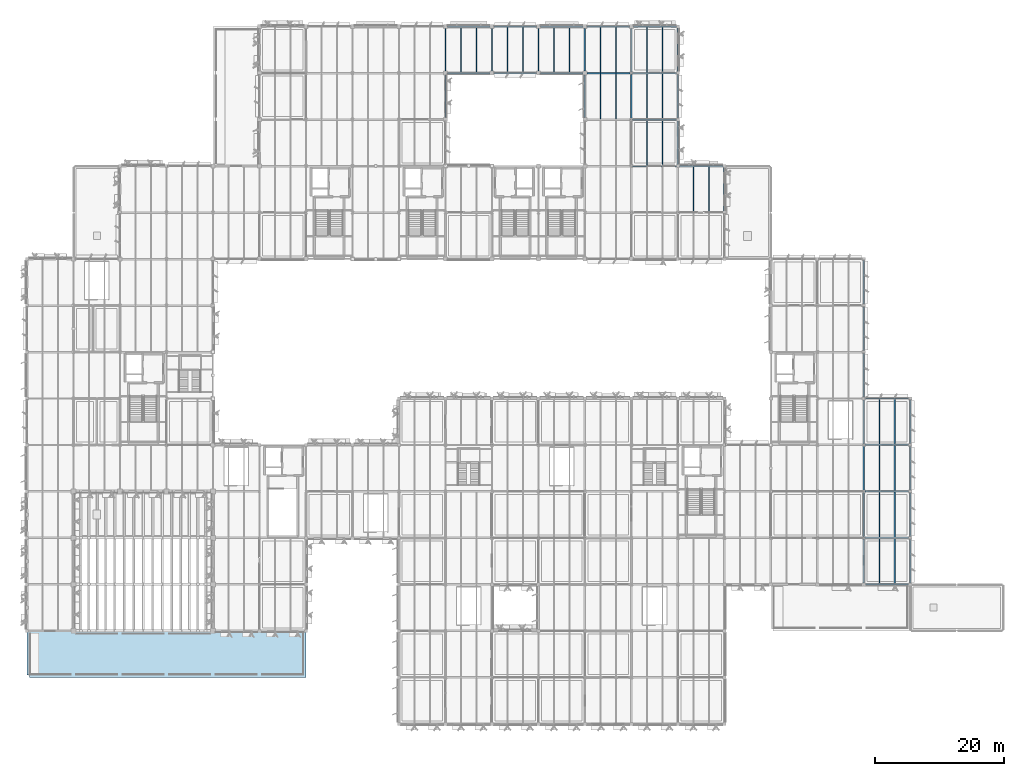
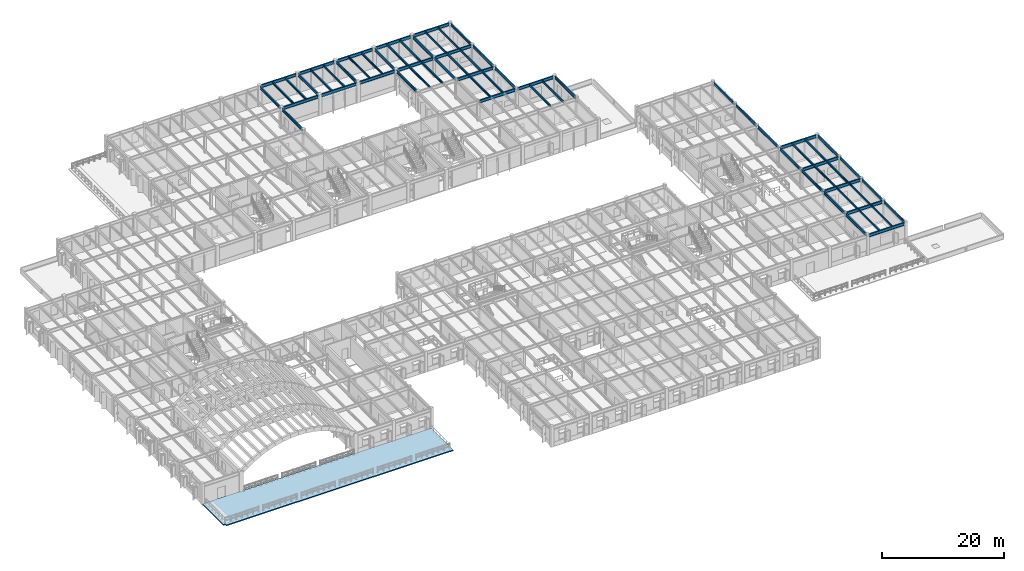
# One storey, part 23 of 85: 67 beams, 1 slab.
"""IFC4 building model written with IfcOpenShell, lengths in metres."""

from ifc_helpers import new_model, si_unit, direction, frame, origin, origin_2d, place, context, subcontext, project, spatial, polyline, i_section, outline, extrude, material, layer, layer_set, material_profile, profile_set, type_object, element, save


model = new_model("IFC4")

# Units and contexts
model_context = context("Model", 3, precision=1e-05, world=origin(), true_north=direction((0.0, 1.0)))
body_context = subcontext(model_context, "Body", "Model", "MODEL_VIEW")
ifc_project = project(units=[si_unit("LENGTHUNIT", "METRE"), si_unit("AREAUNIT", "SQUARE_METRE"), si_unit("VOLUMEUNIT", "CUBIC_METRE"), si_unit("PLANEANGLEUNIT", "RADIAN"), si_unit("MASSUNIT", "GRAM", prefix="KILO")], contexts=[model_context])

# Site, building, storey
site_placement = place(None, origin())
site = spatial("IfcSite", under=ifc_project, at=site_placement, CompositionType="ELEMENT")
building_placement = place(site_placement, origin())
building = spatial("IfcBuilding", under=site, at=building_placement, Name="Sillqori Civic Hall", CompositionType="ELEMENT")
storey_placement = place(building_placement, frame((0.0, 0.0, 9.89990234375)))
storey = spatial("IfcBuildingStorey", under=building, at=storey_placement, Name="L03", CompositionType="ELEMENT", Elevation=9.89990234375)

# Beams
ifc_material_1 = material(Name="Steel ASTM A992", Category="steel")
ifc_material_profile_1 = material_profile(ifc_material_1, i_section(OverallWidth=0.2099609375, OverallDepth=0.532958984375, WebThickness=0.01025390625, FlangeThickness=0.015625, FilletRadius=0.013916015625, at=origin_2d()), Name="W21X62")
ifc_profile_set_1 = profile_set([ifc_material_profile_1], Name="Steel ASTM A992")
beam_type_1 = type_object("IfcBeamType", Name="BM-W21X62", PredefinedType="BEAM", material=ifc_profile_set_1)
for number, where, z_axis, x_axis, name in (
    (1, (72.0, 101.093994140625, 3.753662109375), (0.0, 1.0, 0.0), (-1.0, 0.0, 0.0), "L03 girder Y 10-14"),
    (2, (72.0, 108.2939453125, 3.753662109375), (0.0, 1.0, 0.0), (-1.0, 0.0, 0.0), "L03 girder Y 10-15"),
    (3, (79.199951171875, 108.2939453125, 3.753662109375), (0.0, 1.0, 0.0), (-1.0, 0.0, 0.0), "L03 girder Y 11-15"),
    (4, (86.39990234375, 108.2939453125, 3.753662109375), (0.0, 1.0, 0.0), (-1.0, 0.0, 0.0), "L03 girder Y 12-15"),
    (5, (93.60009765625, 101.093994140625, 3.753662109375), (0.0, 1.0, 0.0), (-1.0, 0.0, 0.0), "L03 girder Y 13-14"),
    (6, (93.60009765625, 108.2939453125, 3.753662109375), (0.0, 1.0, 0.0), (-1.0, 0.0, 0.0), "L03 girder Y 13-15"),
):
    element("IfcBeam", number, at=place(storey_placement, frame(where, z_axis=z_axis, x_axis=x_axis)), inside=storey, type_object=beam_type_1, Name=name, PredefinedType="BEAM", context=body_context, shape_type="SweptSolid", body=[
        extrude(i_section(OverallWidth=0.2099609375, OverallDepth=0.532958984375, WebThickness=0.01025390625, FlangeThickness=0.015625, FilletRadius=0.013916015625, at=origin_2d()), origin(), (0.0, 0.0, 1.0), 6.612060546875),
    ])
beam_1_placement = place(storey_placement, frame((100.800048828125, 100.987060546875, 3.753662109375), z_axis=(0.0, 1.0, 0.0), x_axis=(-1.0, 0.0, 0.0)))
element("IfcBeam", 7, at=beam_1_placement, inside=storey, type_object=beam_type_1, Name="L03 girder Y 14-14", PredefinedType="BEAM", context=body_context, shape_type="SweptSolid", body=[
    extrude(i_section(OverallWidth=0.2099609375, OverallDepth=0.532958984375, WebThickness=0.01025390625, FlangeThickness=0.015625, FilletRadius=0.013916015625, at=origin_2d()), origin(), (0.0, 0.0, 1.0), 6.825927734375),
])
beam_2_placement = place(storey_placement, frame((100.800048828125, 108.18701171875, 3.753662109375), z_axis=(0.0, 1.0, 0.0), x_axis=(-1.0, 0.0, 0.0)))
element("IfcBeam", 8, at=beam_2_placement, inside=storey, type_object=beam_type_1, Name="L03 girder Y 14-15", PredefinedType="BEAM", context=body_context, shape_type="SweptSolid", body=[
    extrude(i_section(OverallWidth=0.2099609375, OverallDepth=0.532958984375, WebThickness=0.01025390625, FlangeThickness=0.015625, FilletRadius=0.013916015625, at=origin_2d()), origin(), (0.0, 0.0, 1.0), 6.718994140625),
])
beam_3_placement = place(storey_placement, frame((108.0, 93.843994140625, 3.753662109375), z_axis=(0.0, 1.0, 0.0), x_axis=(-1.0, 0.0, 0.0)))
element("IfcBeam", 9, at=beam_3_placement, inside=storey, type_object=beam_type_1, Name="L03 girder Y 15-13", PredefinedType="BEAM", context=body_context, shape_type="SweptSolid", body=[
    extrude(i_section(OverallWidth=0.2099609375, OverallDepth=0.532958984375, WebThickness=0.01025390625, FlangeThickness=0.015625, FilletRadius=0.013916015625, at=origin_2d()), origin(), (0.0, 0.0, 1.0), 6.7119140625),
])
for number, where, z_axis, x_axis, name in (
    (10, (108.0, 101.0439453125, 3.753662109375), (0.0, 1.0, 0.0), (-1.0, 0.0, 0.0), "L03 girder Y 15-14"),
    (11, (108.0, 108.243896484375, 3.753662109375), (0.0, 1.0, 0.0), (-1.0, 0.0, 0.0), "L03 girder Y 15-15"),
):
    element("IfcBeam", number, at=place(storey_placement, frame(where, z_axis=z_axis, x_axis=x_axis)), inside=storey, type_object=beam_type_1, Name=name, PredefinedType="BEAM", context=body_context, shape_type="SweptSolid", body=[
        extrude(i_section(OverallWidth=0.2099609375, OverallDepth=0.532958984375, WebThickness=0.01025390625, FlangeThickness=0.015625, FilletRadius=0.013916015625, at=origin_2d()), origin(), (0.0, 0.0, 1.0), 6.712158203125),
    ])
beam_4_placement = place(storey_placement, frame((115.199951171875, 86.64404296875, 3.733642578125), z_axis=(0.0, 1.0, 0.0), x_axis=(-1.0, 0.0, 0.0)))
element("IfcBeam", 12, at=beam_4_placement, inside=storey, type_object=beam_type_1, Name="L03 girder Y 16-12", PredefinedType="BEAM", context=body_context, shape_type="SweptSolid", body=[
    extrude(i_section(OverallWidth=0.2099609375, OverallDepth=0.532958984375, WebThickness=0.01025390625, FlangeThickness=0.015625, FilletRadius=0.013916015625, at=origin_2d()), origin(), (0.0, 0.0, 1.0), 6.7119140625),
])
beam_5_placement = place(storey_placement, frame((136.800048828125, 29.0439453125, 3.733642578125), z_axis=(0.0, 1.0, 0.0), x_axis=(-1.0, 0.0, 0.0)))
element("IfcBeam", 13, at=beam_5_placement, inside=storey, type_object=beam_type_1, Name="L03 girder Y 19-4", PredefinedType="BEAM", context=body_context, shape_type="SweptSolid", body=[
    extrude(i_section(OverallWidth=0.2099609375, OverallDepth=0.532958984375, WebThickness=0.01025390625, FlangeThickness=0.015625, FilletRadius=0.013916015625, at=origin_2d()), origin(), (0.0, 0.0, 1.0), 6.781494140625),
])
beam_6_placement = place(storey_placement, frame((136.800048828125, 36.174560546875, 3.753662109375), z_axis=(0.0, 1.0, 0.0), x_axis=(-1.0, 0.0, 0.0)))
element("IfcBeam", 14, at=beam_6_placement, inside=storey, type_object=beam_type_1, Name="L03 girder Y 19-5", PredefinedType="BEAM", context=body_context, shape_type="SweptSolid", body=[
    extrude(i_section(OverallWidth=0.2099609375, OverallDepth=0.532958984375, WebThickness=0.01025390625, FlangeThickness=0.015625, FilletRadius=0.013916015625, at=origin_2d()), origin(), (0.0, 0.0, 1.0), 6.850830078125),
])
beam_7_placement = place(storey_placement, frame((136.800048828125, 43.37451171875, 3.753662109375), z_axis=(0.0, 1.0, 0.0), x_axis=(-1.0, 0.0, 0.0)))
element("IfcBeam", 15, at=beam_7_placement, inside=storey, type_object=beam_type_1, Name="L03 girder Y 19-6", PredefinedType="BEAM", context=body_context, shape_type="SweptSolid", body=[
    extrude(i_section(OverallWidth=0.2099609375, OverallDepth=0.532958984375, WebThickness=0.01025390625, FlangeThickness=0.015625, FilletRadius=0.013916015625, at=origin_2d()), origin(), (0.0, 0.0, 1.0), 6.85107421875),
])
beam_8_placement = place(storey_placement, frame((136.800048828125, 50.574462890625, 3.753662109375), z_axis=(0.0, 1.0, 0.0), x_axis=(-1.0, 0.0, 0.0)))
element("IfcBeam", 16, at=beam_8_placement, inside=storey, type_object=beam_type_1, Name="L03 girder Y 19-7", PredefinedType="BEAM", context=body_context, shape_type="SweptSolid", body=[
    extrude(i_section(OverallWidth=0.2099609375, OverallDepth=0.532958984375, WebThickness=0.01025390625, FlangeThickness=0.015625, FilletRadius=0.013916015625, at=origin_2d()), origin(), (0.0, 0.0, 1.0), 6.781494140625),
])
beam_9_placement = place(storey_placement, frame((136.800048828125, 57.843994140625, 3.753662109375), z_axis=(0.0, 1.0, 0.0), x_axis=(-1.0, 0.0, 0.0)))
element("IfcBeam", 17, at=beam_9_placement, inside=storey, type_object=beam_type_1, Name="L03 girder Y 19-8", PredefinedType="BEAM", context=body_context, shape_type="SweptSolid", body=[
    extrude(i_section(OverallWidth=0.2099609375, OverallDepth=0.532958984375, WebThickness=0.01025390625, FlangeThickness=0.015625, FilletRadius=0.013916015625, at=origin_2d()), origin(), (0.0, 0.0, 1.0), 6.7119140625),
])
for number, where, z_axis, x_axis, name in (
    (18, (136.800048828125, 65.0439453125, 3.753662109375), (0.0, 1.0, 0.0), (-1.0, 0.0, 0.0), "L03 girder Y 19-9"),
    (19, (136.800048828125, 72.243896484375, 3.753662109375), (0.0, 1.0, 0.0), (-1.0, 0.0, 0.0), "L03 girder Y 19-10"),
    (20, (144.0, 29.0439453125, 3.733642578125), (0.0, 1.0, 0.0), (-1.0, 0.0, 0.0), "L03 girder Y 20-4"),
    (21, (144.0, 36.243896484375, 3.753662109375), (0.0, 1.0, 0.0), (-1.0, 0.0, 0.0), "L03 girder Y 20-5"),
):
    element("IfcBeam", number, at=place(storey_placement, frame(where, z_axis=z_axis, x_axis=x_axis)), inside=storey, type_object=beam_type_1, Name=name, PredefinedType="BEAM", context=body_context, shape_type="SweptSolid", body=[
        extrude(i_section(OverallWidth=0.2099609375, OverallDepth=0.532958984375, WebThickness=0.01025390625, FlangeThickness=0.015625, FilletRadius=0.013916015625, at=origin_2d()), origin(), (0.0, 0.0, 1.0), 6.712158203125),
    ])
for number, where, z_axis, x_axis, name in (
    (22, (144.0, 43.444091796875, 3.753662109375), (0.0, 1.0, 0.0), (-1.0, 0.0, 0.0), "L03 girder Y 20-6"),
    (23, (144.0, 50.64404296875, 3.753662109375), (0.0, 1.0, 0.0), (-1.0, 0.0, 0.0), "L03 girder Y 20-7"),
):
    element("IfcBeam", number, at=place(storey_placement, frame(where, z_axis=z_axis, x_axis=x_axis)), inside=storey, type_object=beam_type_1, Name=name, PredefinedType="BEAM", context=body_context, shape_type="SweptSolid", body=[
        extrude(i_section(OverallWidth=0.2099609375, OverallDepth=0.532958984375, WebThickness=0.01025390625, FlangeThickness=0.015625, FilletRadius=0.013916015625, at=origin_2d()), origin(), (0.0, 0.0, 1.0), 6.7119140625),
    ])
ifc_material_profile_2 = material_profile(ifc_material_1, i_section(OverallWidth=0.22802734375, OverallDepth=0.60205078125, WebThickness=0.010498046875, FlangeThickness=0.014892578125, FilletRadius=0.014892578125, at=origin_2d()), Name="W24X68")
ifc_profile_set_2 = profile_set([ifc_material_profile_2], Name="Steel ASTM A992")
beam_type_2 = type_object("IfcBeamType", Name="BM-W24X68", PredefinedType="BEAM", material=ifc_profile_set_2)
for number, where, z_axis, x_axis, name in (
    (24, (72.2939453125, 108.0, 3.718994140625), (1.0, 0.0, 0.0), (0.0, 1.0, 0.0), "L03 girder X 10-15"),
    (25, (72.2939453125, 115.199951171875, 3.718994140625), (1.0, 0.0, 0.0), (0.0, 1.0, 0.0), "L03 girder X 10-16"),
    (26, (79.493896484375, 108.0, 3.718994140625), (1.0, 0.0, 0.0), (0.0, 1.0, 0.0), "L03 girder X 11-15"),
    (27, (79.493896484375, 115.199951171875, 3.718994140625), (1.0, 0.0, 0.0), (0.0, 1.0, 0.0), "L03 girder X 11-16"),
):
    element("IfcBeam", number, at=place(storey_placement, frame(where, z_axis=z_axis, x_axis=x_axis)), inside=storey, type_object=beam_type_2, Name=name, PredefinedType="BEAM", context=body_context, shape_type="SweptSolid", body=[
        extrude(i_section(OverallWidth=0.22802734375, OverallDepth=0.60205078125, WebThickness=0.010498046875, FlangeThickness=0.014892578125, FilletRadius=0.014892578125, at=origin_2d()), origin(), (0.0, 0.0, 1.0), 6.612060546875),
    ])
for number, where, z_axis, x_axis, name in (
    (28, (86.694091796875, 108.0, 3.718994140625), (1.0, 0.0, 0.0), (0.0, 1.0, 0.0), "L03 girder X 12-15"),
    (29, (86.694091796875, 115.199951171875, 3.718994140625), (1.0, 0.0, 0.0), (0.0, 1.0, 0.0), "L03 girder X 12-16"),
):
    element("IfcBeam", number, at=place(storey_placement, frame(where, z_axis=z_axis, x_axis=x_axis)), inside=storey, type_object=beam_type_2, Name=name, PredefinedType="BEAM", context=body_context, shape_type="SweptSolid", body=[
        extrude(i_section(OverallWidth=0.22802734375, OverallDepth=0.60205078125, WebThickness=0.010498046875, FlangeThickness=0.014892578125, FilletRadius=0.014892578125, at=origin_2d()), origin(), (0.0, 0.0, 1.0), 6.61181640625),
    ])
beam_10_placement = place(storey_placement, frame((93.89404296875, 108.0, 3.718994140625), z_axis=(1.0, 0.0, 0.0), x_axis=(0.0, 1.0, 0.0)))
element("IfcBeam", 30, at=beam_10_placement, inside=storey, type_object=beam_type_2, Name="L03 girder X 13-15", PredefinedType="BEAM", context=body_context, shape_type="SweptSolid", body=[
    extrude(i_section(OverallWidth=0.22802734375, OverallDepth=0.60205078125, WebThickness=0.010498046875, FlangeThickness=0.014892578125, FilletRadius=0.014892578125, at=origin_2d()), origin(), (0.0, 0.0, 1.0), 6.71240234375),
])
beam_11_placement = place(storey_placement, frame((93.89404296875, 115.199951171875, 3.718994140625), z_axis=(1.0, 0.0, 0.0), x_axis=(0.0, 1.0, 0.0)))
element("IfcBeam", 31, at=beam_11_placement, inside=storey, type_object=beam_type_2, Name="L03 girder X 13-16", PredefinedType="BEAM", context=body_context, shape_type="SweptSolid", body=[
    extrude(i_section(OverallWidth=0.22802734375, OverallDepth=0.60205078125, WebThickness=0.010498046875, FlangeThickness=0.014892578125, FilletRadius=0.014892578125, at=origin_2d()), origin(), (0.0, 0.0, 1.0), 6.612060546875),
])
for number, where, z_axis, x_axis, name in (
    (32, (100.993408203125, 93.60009765625, 3.718994140625), (1.0, 0.0, 0.0), (0.0, 1.0, 0.0), "L03 girder X 14-13"),
    (33, (100.993408203125, 100.800048828125, 3.718994140625), (1.0, 0.0, 0.0), (0.0, 1.0, 0.0), "L03 girder X 14-14"),
    (34, (100.993408203125, 108.0, 3.718994140625), (1.0, 0.0, 0.0), (0.0, 1.0, 0.0), "L03 girder X 14-15"),
):
    element("IfcBeam", number, at=place(storey_placement, frame(where, z_axis=z_axis, x_axis=x_axis)), inside=storey, type_object=beam_type_2, Name=name, PredefinedType="BEAM", context=body_context, shape_type="SweptSolid", body=[
        extrude(i_section(OverallWidth=0.22802734375, OverallDepth=0.60205078125, WebThickness=0.010498046875, FlangeThickness=0.014892578125, FilletRadius=0.014892578125, at=origin_2d()), origin(), (0.0, 0.0, 1.0), 6.7626953125),
    ])
beam_12_placement = place(storey_placement, frame((101.093994140625, 115.199951171875, 3.718994140625), z_axis=(1.0, 0.0, 0.0), x_axis=(0.0, 1.0, 0.0)))
element("IfcBeam", 35, at=beam_12_placement, inside=storey, type_object=beam_type_2, Name="L03 girder X 14-16", PredefinedType="BEAM", context=body_context, shape_type="SweptSolid", body=[
    extrude(i_section(OverallWidth=0.22802734375, OverallDepth=0.60205078125, WebThickness=0.010498046875, FlangeThickness=0.014892578125, FilletRadius=0.014892578125, at=origin_2d()), origin(), (0.0, 0.0, 1.0), 6.662109375),
])
beam_13_placement = place(storey_placement, frame((108.243896484375, 93.60009765625, 3.69921875), z_axis=(1.0, 0.0, 0.0), x_axis=(0.0, 1.0, 0.0)))
element("IfcBeam", 36, at=beam_13_placement, inside=storey, type_object=beam_type_2, Name="L03 girder X 15-13", PredefinedType="BEAM", context=body_context, shape_type="SweptSolid", body=[
    extrude(i_section(OverallWidth=0.22802734375, OverallDepth=0.60205078125, WebThickness=0.010498046875, FlangeThickness=0.014892578125, FilletRadius=0.014892578125, at=origin_2d()), origin(), (0.0, 0.0, 1.0), 6.712158203125),
])
ifc_material_profile_3 = material_profile(ifc_material_1, i_section(OverallWidth=0.22900390625, OverallDepth=0.612060546875, WebThickness=0.011962890625, FlangeThickness=0.01953125, FilletRadius=0.014892578125, at=origin_2d()), Name="W24X84")
ifc_profile_set_3 = profile_set([ifc_material_profile_3], Name="Steel ASTM A992")
beam_type_3 = type_object("IfcBeamType", Name="BM-W24X84", PredefinedType="BEAM", material=ifc_profile_set_3)
beam_14_placement = place(storey_placement, frame((137.0439453125, 28.800048828125, 3.694091796875), z_axis=(1.0, 0.0, 0.0), x_axis=(0.0, 1.0, 0.0)))
element("IfcBeam", 37, at=beam_14_placement, inside=storey, type_object=beam_type_3, Name="L03 girder X 19-4", PredefinedType="BEAM", context=body_context, shape_type="SweptSolid", body=[
    extrude(i_section(OverallWidth=0.22900390625, OverallDepth=0.612060546875, WebThickness=0.011962890625, FlangeThickness=0.01953125, FilletRadius=0.014892578125, at=origin_2d()), origin(), (0.0, 0.0, 1.0), 6.712158203125),
])
for number, where, z_axis, x_axis, name in (
    (38, (136.9794921875, 36.0, 3.694091796875), (1.0, 0.0, 0.0), (0.0, 1.0, 0.0), "L03 girder X 19-5"),
    (39, (136.9794921875, 43.199951171875, 3.714111328125), (1.0, 0.0, 0.0), (0.0, 1.0, 0.0), "L03 girder X 19-6"),
    (40, (136.9794921875, 50.39990234375, 3.714111328125), (1.0, 0.0, 0.0), (0.0, 1.0, 0.0), "L03 girder X 19-7"),
):
    element("IfcBeam", number, at=place(storey_placement, frame(where, z_axis=z_axis, x_axis=x_axis)), inside=storey, type_object=beam_type_3, Name=name, PredefinedType="BEAM", context=body_context, shape_type="SweptSolid", body=[
        extrude(i_section(OverallWidth=0.22900390625, OverallDepth=0.612060546875, WebThickness=0.011962890625, FlangeThickness=0.01953125, FilletRadius=0.014892578125, at=origin_2d()), origin(), (0.0, 0.0, 1.0), 6.776611328125),
    ])
beam_15_placement = place(storey_placement, frame((137.0439453125, 57.60009765625, 3.714111328125), z_axis=(1.0, 0.0, 0.0), x_axis=(0.0, 1.0, 0.0)))
element("IfcBeam", 41, at=beam_15_placement, inside=storey, type_object=beam_type_3, Name="L03 girder X 19-8", PredefinedType="BEAM", context=body_context, shape_type="SweptSolid", body=[
    extrude(i_section(OverallWidth=0.22900390625, OverallDepth=0.612060546875, WebThickness=0.011962890625, FlangeThickness=0.01953125, FilletRadius=0.014892578125, at=origin_2d()), origin(), (0.0, 0.0, 1.0), 6.712158203125),
])
ifc_material_profile_4 = material_profile(ifc_material_1, i_section(OverallWidth=0.177978515625, OverallDepth=0.404052734375, WebThickness=0.007568359375, FlangeThickness=0.010986328125, FilletRadius=0.011962890625, at=origin_2d()), Name="W16X36")
ifc_profile_set_4 = profile_set([ifc_material_profile_4], Name="Steel ASTM A992")
beam_type_4 = type_object("IfcBeamType", Name="JS-W16X36", PredefinedType="JOIST", material=ifc_profile_set_4)
for number, where, z_axis, x_axis, name in (
    (42, (74.39990234375, 108.094970703125, 3.818115234375), (0.0, 1.0, 0.0), (-1.0, 0.0, 0.0), "L03 composite joist 10-15.1"),
    (43, (76.800048828125, 108.094970703125, 3.818115234375), (0.0, 1.0, 0.0), (-1.0, 0.0, 0.0), "L03 composite joist 10-15.2"),
    (44, (81.60009765625, 108.094970703125, 3.818115234375), (0.0, 1.0, 0.0), (-1.0, 0.0, 0.0), "L03 composite joist 11-15.1"),
    (45, (84.0, 108.094970703125, 3.818115234375), (0.0, 1.0, 0.0), (-1.0, 0.0, 0.0), "L03 composite joist 11-15.2"),
    (46, (88.800048828125, 108.094970703125, 3.818115234375), (0.0, 1.0, 0.0), (-1.0, 0.0, 0.0), "L03 composite joist 12-15.1"),
    (47, (91.199951171875, 108.094970703125, 3.818115234375), (0.0, 1.0, 0.0), (-1.0, 0.0, 0.0), "L03 composite joist 12-15.2"),
    (48, (96.0, 100.89501953125, 3.818115234375), (0.0, 1.0, 0.0), (-1.0, 0.0, 0.0), "L03 composite joist 13-14.1"),
    (49, (98.39990234375, 100.89501953125, 3.818115234375), (0.0, 1.0, 0.0), (-1.0, 0.0, 0.0), "L03 composite joist 13-14.2"),
    (50, (96.0, 108.094970703125, 3.818115234375), (0.0, 1.0, 0.0), (-1.0, 0.0, 0.0), "L03 composite joist 13-15.1"),
    (51, (98.39990234375, 108.094970703125, 3.818115234375), (0.0, 1.0, 0.0), (-1.0, 0.0, 0.0), "L03 composite joist 13-15.2"),
    (52, (103.199951171875, 93.695068359375, 3.818115234375), (0.0, 1.0, 0.0), (-1.0, 0.0, 0.0), "L03 composite joist 14-13.1"),
    (53, (105.60009765625, 93.695068359375, 3.818115234375), (0.0, 1.0, 0.0), (-1.0, 0.0, 0.0), "L03 composite joist 14-13.2"),
    (54, (103.199951171875, 100.89501953125, 3.818115234375), (0.0, 1.0, 0.0), (-1.0, 0.0, 0.0), "L03 composite joist 14-14.1"),
    (55, (105.60009765625, 100.89501953125, 3.818115234375), (0.0, 1.0, 0.0), (-1.0, 0.0, 0.0), "L03 composite joist 14-14.2"),
    (56, (103.199951171875, 108.094970703125, 3.818115234375), (0.0, 1.0, 0.0), (-1.0, 0.0, 0.0), "L03 composite joist 14-15.1"),
    (57, (105.60009765625, 108.094970703125, 3.818115234375), (0.0, 1.0, 0.0), (-1.0, 0.0, 0.0), "L03 composite joist 14-15.2"),
):
    element("IfcBeam", number, at=place(storey_placement, frame(where, z_axis=z_axis, x_axis=x_axis)), inside=storey, type_object=beam_type_4, Name=name, PredefinedType="JOIST", context=body_context, shape_type="SweptSolid", body=[
        extrude(i_section(OverallWidth=0.177978515625, OverallDepth=0.404052734375, WebThickness=0.007568359375, FlangeThickness=0.010986328125, FilletRadius=0.011962890625, at=origin_2d()), origin(), (0.0, 0.0, 1.0), 7.010009765625),
    ])
for number, where, z_axis, x_axis, name in (
    (58, (110.39990234375, 86.4951171875, 3.798095703125), (0.0, 1.0, 0.0), (-1.0, 0.0, 0.0), "L03 composite joist 15-12.1"),
    (59, (112.800048828125, 86.4951171875, 3.798095703125), (0.0, 1.0, 0.0), (-1.0, 0.0, 0.0), "L03 composite joist 15-12.2"),
):
    element("IfcBeam", number, at=place(storey_placement, frame(where, z_axis=z_axis, x_axis=x_axis)), inside=storey, type_object=beam_type_4, Name=name, PredefinedType="JOIST", context=body_context, shape_type="SweptSolid", body=[
        extrude(i_section(OverallWidth=0.177978515625, OverallDepth=0.404052734375, WebThickness=0.007568359375, FlangeThickness=0.010986328125, FilletRadius=0.011962890625, at=origin_2d()), origin(), (0.0, 0.0, 1.0), 7.009765625),
    ])
for number, where, z_axis, x_axis, name in (
    (60, (139.199951171875, 28.89501953125, 3.798095703125), (0.0, 1.0, 0.0), (-1.0, 0.0, 0.0), "L03 composite joist 19-4.1"),
    (61, (141.60009765625, 28.89501953125, 3.798095703125), (0.0, 1.0, 0.0), (-1.0, 0.0, 0.0), "L03 composite joist 19-4.2"),
    (62, (139.199951171875, 36.094970703125, 3.818115234375), (0.0, 1.0, 0.0), (-1.0, 0.0, 0.0), "L03 composite joist 19-5.1"),
    (63, (141.60009765625, 36.094970703125, 3.818115234375), (0.0, 1.0, 0.0), (-1.0, 0.0, 0.0), "L03 composite joist 19-5.2"),
    (64, (139.199951171875, 43.294921875, 3.818115234375), (0.0, 1.0, 0.0), (-1.0, 0.0, 0.0), "L03 composite joist 19-6.1"),
    (65, (141.60009765625, 43.294921875, 3.818115234375), (0.0, 1.0, 0.0), (-1.0, 0.0, 0.0), "L03 composite joist 19-6.2"),
):
    element("IfcBeam", number, at=place(storey_placement, frame(where, z_axis=z_axis, x_axis=x_axis)), inside=storey, type_object=beam_type_4, Name=name, PredefinedType="JOIST", context=body_context, shape_type="SweptSolid", body=[
        extrude(i_section(OverallWidth=0.177978515625, OverallDepth=0.404052734375, WebThickness=0.007568359375, FlangeThickness=0.010986328125, FilletRadius=0.011962890625, at=origin_2d()), origin(), (0.0, 0.0, 1.0), 7.010009765625),
    ])
for number, where, z_axis, x_axis, name in (
    (66, (139.199951171875, 50.4951171875, 3.818115234375), (0.0, 1.0, 0.0), (-1.0, 0.0, 0.0), "L03 composite joist 19-7.1"),
    (67, (141.60009765625, 50.4951171875, 3.818115234375), (0.0, 1.0, 0.0), (-1.0, 0.0, 0.0), "L03 composite joist 19-7.2"),
):
    element("IfcBeam", number, at=place(storey_placement, frame(where, z_axis=z_axis, x_axis=x_axis)), inside=storey, type_object=beam_type_4, Name=name, PredefinedType="JOIST", context=body_context, shape_type="SweptSolid", body=[
        extrude(i_section(OverallWidth=0.177978515625, OverallDepth=0.404052734375, WebThickness=0.007568359375, FlangeThickness=0.010986328125, FilletRadius=0.011962890625, at=origin_2d()), origin(), (0.0, 0.0, 1.0), 7.009765625),
    ])

# Slab
ifc_material_2 = material(Name="Concrete C35/45 (H35)", Category="concrete")
ifc_layer = layer(ifc_material_2, 0.199951171875)
ifc_layer_set = layer_set([ifc_layer], Name="Concrete C35/45 (H35)")
slab_type = type_object("IfcSlabType", Name="SLB-TER-200", PredefinedType="FLOOR", material=ifc_layer_set)
slab_placement = place(storey_placement, frame((0.0, 0.0, -0.199951171875)))
element("IfcSlab", 68, at=slab_placement, inside=storey, type_object=slab_type, Name="South Chamber Step Terrace 2", PredefinedType="FLOOR", context=body_context, shape_type="SweptSolid", body=[
    extrude(outline(polyline([(7.199951171875, 21.60009765625), (50.39990234375, 21.60009765625), (50.39990234375, 14.39990234375), (7.550048828125, 14.39990234375), (7.550048828125, 14.75), (7.199951171875, 14.75), (7.199951171875, 21.60009765625)])), origin(), (0.0, 0.0, 1.0), 0.199951171875),
])

save(model, "model.ifc")
